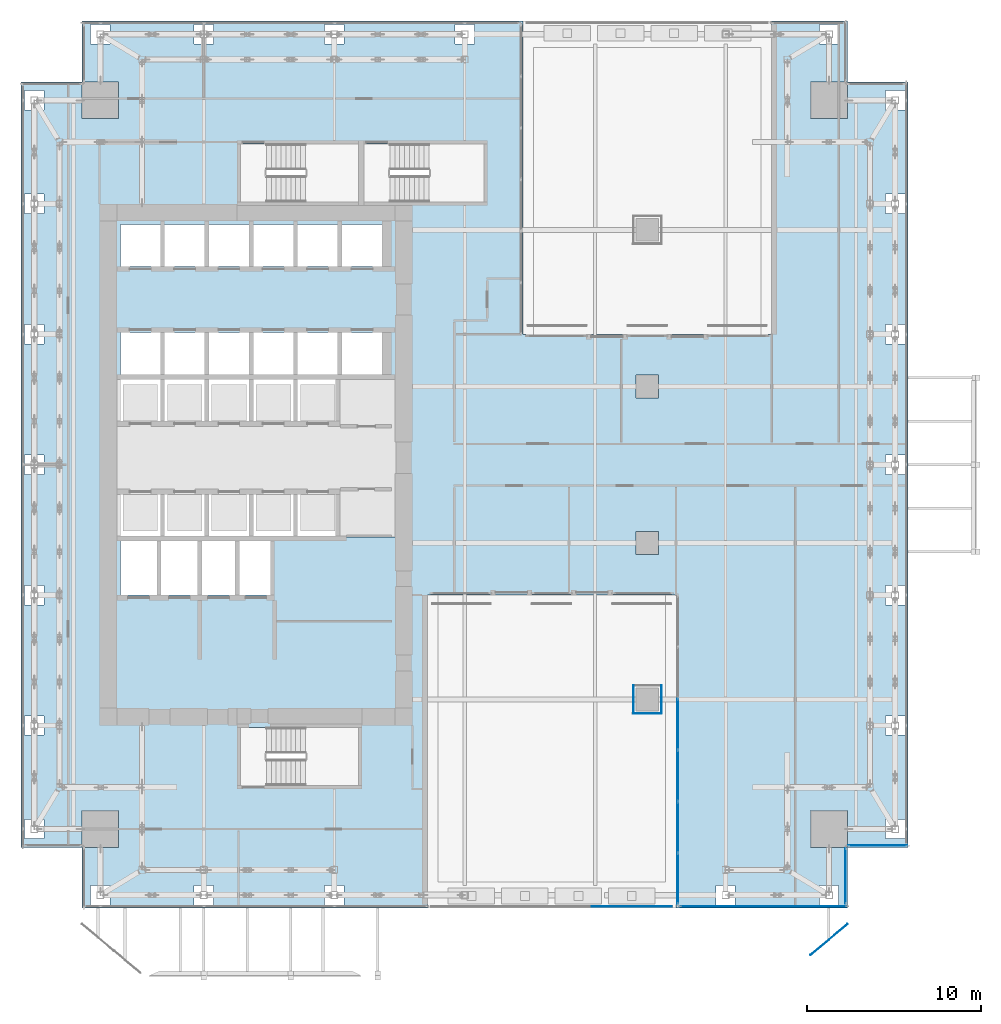
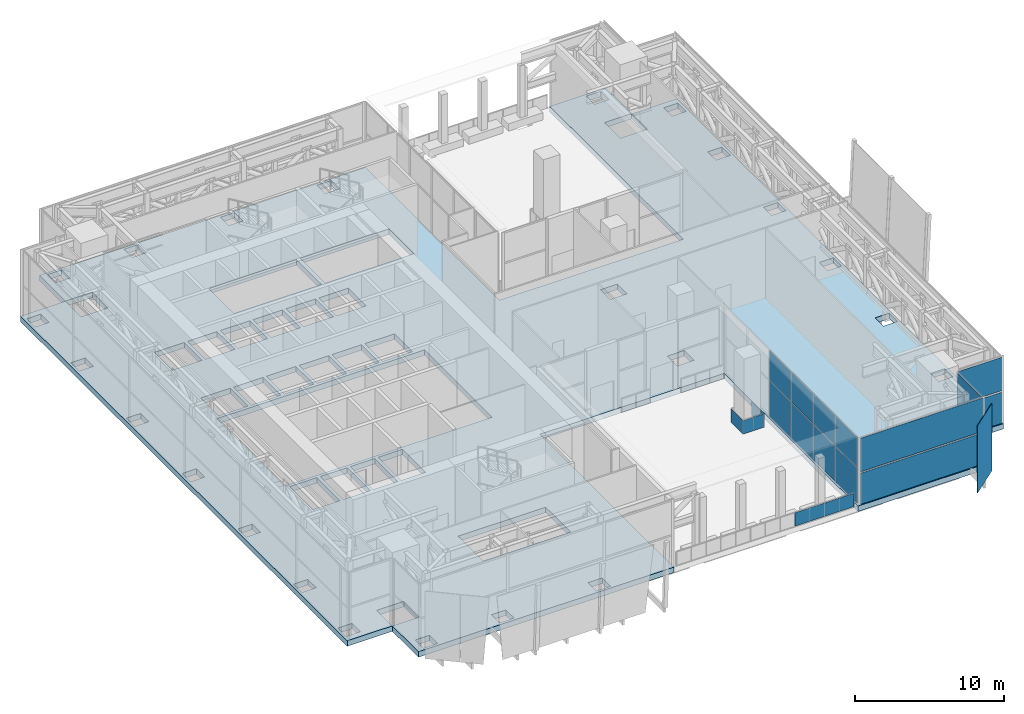
# One storey, part 32 of 47: 19 plates, 1 slab, 4 elements without a shape of their own.
"""IFC4 building model written with IfcOpenShell, lengths in metres."""

from ifc_helpers import new_model, si_unit, direction, frame, origin, origin_2d, place, context, subcontext, project, spatial, polyline, rectangle, outline, extrude, source, transform, mapped, material, layer, layer_set, type_object, element, aggregate, save


model = new_model("IFC4")

# Units and contexts
model_context = context("Model", 3, precision=1e-05, world=origin(), true_north=direction((0.0, 1.0)))
body_context = subcontext(model_context, "Body", "Model", "MODEL_VIEW")
ifc_project = project(units=[si_unit("LENGTHUNIT", "METRE"), si_unit("AREAUNIT", "SQUARE_METRE"), si_unit("VOLUMEUNIT", "CUBIC_METRE"), si_unit("PLANEANGLEUNIT", "RADIAN"), si_unit("MASSUNIT", "GRAM", prefix="KILO")], contexts=[model_context])

# Site, building, storey
site_placement = place(None, origin())
site = spatial("IfcSite", under=ifc_project, at=site_placement, CompositionType="ELEMENT")
building_placement = place(site_placement, origin())
building = spatial("IfcBuilding", under=site, at=building_placement, Name="Khomas Fold Tower", CompositionType="ELEMENT")
storey_placement = place(building_placement, frame((0.0, 0.0, 158.699951171875)))
storey = spatial("IfcBuildingStorey", under=building, at=storey_placement, Name="L34", CompositionType="ELEMENT", Elevation=158.699951171875)

# Plate
ifc_material_1 = material(Name="Clear laminated glass", Category="glass")
ifc_layer_1 = layer(ifc_material_1, 0.0400390625)
ifc_layer_set_1 = layer_set([ifc_layer_1], Name="Clear laminated glass")
plate_type_1 = type_object("IfcPlateType", Name="SK-Clear laminated glass leaf", PredefinedType="SHEET", material=ifc_layer_set_1)
plate_1_placement = place(storey_placement, frame((49.0, 0.60009765625, 5.550048828125), z_axis=(-0.640236364148, 0.768177972883, 0.0), x_axis=(0.0, 0.0, -1.0)))
element("IfcPlate", 1, at=plate_1_placement, inside=storey, type_object=plate_type_1, Name="OUTER SKIN glass L34 SG107-9", PredefinedType="SHEET", context=body_context, shape_type="SweptSolid", body=[
    extrude(outline(polyline([(0.0, 0.0), (5.550048828125, 0.0), (5.550048828125, 2.7726423923708285), (0.0, 2.7726423923708285), (0.0, 0.0)])), origin(), (0.0, 0.0, -1.0), 0.0400390625),
])

# Slab
ifc_material_2 = material(Name="Concrete C40/50", Category="concrete")
ifc_layer_2 = layer(ifc_material_2, 0.449951171875)
ifc_layer_set_2 = layer_set([ifc_layer_2], Name="Concrete C40/50")
slab_type = type_object("IfcSlabType", Name="RC floor slab 450", PredefinedType="FLOOR", material=ifc_layer_set_2)
shared_shape_1 = source(origin(), body_context, "Body", "SweptSolid", [
    extrude(outline(polyline([(1.5, 5.0), (4.9951171875, 5.0), (4.9951171875, 7.10498046875), (7.10498046875, 7.10498046875), (7.10498046875, 4.9951171875), (5.0, 4.9951171875), (5.0, 1.5), (24.85009765625, 1.5), (24.85009765625, 19.5), (39.14990234375, 19.5), (39.14990234375, 1.5), (49.0, 1.5), (49.0, 4.9951171875), (46.89501953125, 4.9951171875), (46.89501953125, 7.10498046875), (49.0048828125, 7.10498046875), (49.0048828125, 5.0), (52.5, 5.0), (52.5, 49.0), (49.0048828125, 49.0), (49.0048828125, 46.89501953125), (46.89501953125, 46.89501953125), (46.89501953125, 49.0048828125), (49.0, 49.0048828125), (49.0, 52.5), (44.64990234375, 52.5), (44.64990234375, 34.5), (30.35009765625, 34.5), (30.35009765625, 52.5), (5.0, 52.5), (5.0, 49.0048828125), (7.10498046875, 49.0048828125), (7.10498046875, 46.89501953125), (4.9951171875, 46.89501953125), (4.9951171875, 49.0), (1.5, 49.0), (1.5, 5.0)]), holes=[polyline([(1.695068359375, 5.4951171875), (1.695068359375, 6.60498046875), (2.804931640625, 6.60498046875), (2.804931640625, 5.4951171875), (1.695068359375, 5.4951171875)]), polyline([(1.695068359375, 11.445068359375), (1.695068359375, 12.554931640625), (2.804931640625, 12.554931640625), (2.804931640625, 11.445068359375), (1.695068359375, 11.445068359375)]), polyline([(1.695068359375, 18.945068359375), (1.695068359375, 20.054931640625), (2.804931640625, 20.054931640625), (2.804931640625, 18.945068359375), (1.695068359375, 18.945068359375)]), polyline([(1.695068359375, 26.445068359375), (1.695068359375, 27.554931640625), (2.804931640625, 27.554931640625), (2.804931640625, 26.445068359375), (1.695068359375, 26.445068359375)]), polyline([(1.695068359375, 33.945068359375), (1.695068359375, 35.054931640625), (2.804931640625, 35.054931640625), (2.804931640625, 33.945068359375), (1.695068359375, 33.945068359375)]), polyline([(1.695068359375, 41.445068359375), (1.695068359375, 42.554931640625), (2.804931640625, 42.554931640625), (2.804931640625, 41.445068359375), (1.695068359375, 41.445068359375)]), polyline([(1.695068359375, 47.39501953125), (1.695068359375, 48.5048828125), (2.804931640625, 48.5048828125), (2.804931640625, 47.39501953125), (1.695068359375, 47.39501953125)]), polyline([(5.4951171875, 1.695068359375), (5.4951171875, 2.804931640625), (6.60498046875, 2.804931640625), (6.60498046875, 1.695068359375), (5.4951171875, 1.695068359375)]), polyline([(5.4951171875, 51.195068359375), (5.4951171875, 52.304931640625), (6.60498046875, 52.304931640625), (6.60498046875, 51.195068359375), (5.4951171875, 51.195068359375)]), polyline([(6.93994140625, 22.840087890625), (6.93994140625, 31.9599609375), (23.06005859375, 31.9599609375), (23.06005859375, 22.840087890625), (6.93994140625, 22.840087890625)]), polyline([(7.199951171875, 19.5), (7.199951171875, 22.60009765625), (9.300048828125, 22.60009765625), (9.300048828125, 19.5), (7.199951171875, 19.5)]), polyline([(7.199951171875, 32.199951171875), (7.199951171875, 34.60009765625), (9.5, 34.60009765625), (9.5, 32.199951171875), (7.199951171875, 32.199951171875)]), polyline([(7.199951171875, 38.39990234375), (7.199951171875, 40.800048828125), (9.5, 40.800048828125), (9.5, 38.39990234375), (7.199951171875, 38.39990234375)]), polyline([(9.550048828125, 19.5), (9.550048828125, 22.60009765625), (11.64990234375, 22.60009765625), (11.64990234375, 19.5), (9.550048828125, 19.5)]), polyline([(9.75, 32.199951171875), (9.75, 34.60009765625), (12.050048828125, 34.60009765625), (12.050048828125, 32.199951171875), (9.75, 32.199951171875)]), polyline([(9.75, 38.39990234375), (9.75, 40.800048828125), (12.050048828125, 40.800048828125), (12.050048828125, 38.39990234375), (9.75, 38.39990234375)]), polyline([(11.445068359375, 1.695068359375), (11.445068359375, 2.804931640625), (12.554931640625, 2.804931640625), (12.554931640625, 1.695068359375), (11.445068359375, 1.695068359375)]), polyline([(11.445068359375, 51.195068359375), (11.445068359375, 52.304931640625), (12.554931640625, 52.304931640625), (12.554931640625, 51.195068359375), (11.445068359375, 51.195068359375)]), polyline([(11.89990234375, 19.5), (11.89990234375, 22.60009765625), (13.800048828125, 22.60009765625), (13.800048828125, 19.5), (11.89990234375, 19.5)]), polyline([(12.300048828125, 32.199951171875), (12.300048828125, 34.60009765625), (14.60009765625, 34.60009765625), (14.60009765625, 32.199951171875), (12.300048828125, 32.199951171875)]), polyline([(12.300048828125, 38.39990234375), (12.300048828125, 40.800048828125), (14.60009765625, 40.800048828125), (14.60009765625, 38.39990234375), (12.300048828125, 38.39990234375)]), polyline([(14.050048828125, 19.5), (14.050048828125, 22.60009765625), (15.949951171875, 22.60009765625), (15.949951171875, 19.5), (14.050048828125, 19.5)]), polyline([(14.10009765625, 8.550048828125), (14.10009765625, 11.89990234375), (20.89990234375, 11.89990234375), (20.89990234375, 8.550048828125), (14.10009765625, 8.550048828125)]), polyline([(14.10009765625, 42.10009765625), (14.10009765625, 45.449951171875), (20.89990234375, 45.449951171875), (20.89990234375, 42.10009765625), (14.10009765625, 42.10009765625)]), polyline([(14.85009765625, 32.199951171875), (14.85009765625, 34.60009765625), (17.14990234375, 34.60009765625), (17.14990234375, 32.199951171875), (14.85009765625, 32.199951171875)]), polyline([(14.85009765625, 38.39990234375), (14.85009765625, 40.800048828125), (17.14990234375, 40.800048828125), (17.14990234375, 38.39990234375), (14.85009765625, 38.39990234375)]), polyline([(17.39990234375, 32.199951171875), (17.39990234375, 34.60009765625), (19.699951171875, 34.60009765625), (19.699951171875, 32.199951171875), (17.39990234375, 32.199951171875)]), polyline([(17.39990234375, 38.39990234375), (17.39990234375, 40.800048828125), (19.699951171875, 40.800048828125), (19.699951171875, 38.39990234375), (17.39990234375, 38.39990234375)]), polyline([(18.945068359375, 1.695068359375), (18.945068359375, 2.804931640625), (20.054931640625, 2.804931640625), (20.054931640625, 1.695068359375), (18.945068359375, 1.695068359375)]), polyline([(18.945068359375, 51.195068359375), (18.945068359375, 52.304931640625), (20.054931640625, 52.304931640625), (20.054931640625, 51.195068359375), (18.945068359375, 51.195068359375)]), polyline([(19.949951171875, 32.199951171875), (19.949951171875, 34.60009765625), (22.25, 34.60009765625), (22.25, 32.199951171875), (19.949951171875, 32.199951171875)]), polyline([(19.949951171875, 38.39990234375), (19.949951171875, 40.800048828125), (22.25, 40.800048828125), (22.25, 38.39990234375), (19.949951171875, 38.39990234375)]), polyline([(21.199951171875, 42.10009765625), (21.199951171875, 45.449951171875), (28.10009765625, 45.449951171875), (28.10009765625, 42.10009765625), (21.199951171875, 42.10009765625)]), polyline([(26.445068359375, 51.195068359375), (26.445068359375, 52.304931640625), (27.554931640625, 52.304931640625), (27.554931640625, 51.195068359375), (26.445068359375, 51.195068359375)]), polyline([(36.844970703125, 21.844970703125), (36.844970703125, 23.155029296875), (38.155029296875, 23.155029296875), (38.155029296875, 21.844970703125), (36.844970703125, 21.844970703125)]), polyline([(36.844970703125, 30.844970703125), (36.844970703125, 32.155029296875), (38.155029296875, 32.155029296875), (38.155029296875, 30.844970703125), (36.844970703125, 30.844970703125)]), polyline([(41.445068359375, 1.695068359375), (41.445068359375, 2.804931640625), (42.554931640625, 2.804931640625), (42.554931640625, 1.695068359375), (41.445068359375, 1.695068359375)]), polyline([(47.39501953125, 1.695068359375), (47.39501953125, 2.804931640625), (48.5048828125, 2.804931640625), (48.5048828125, 1.695068359375), (47.39501953125, 1.695068359375)]), polyline([(47.39501953125, 51.195068359375), (47.39501953125, 52.304931640625), (48.5048828125, 52.304931640625), (48.5048828125, 51.195068359375), (47.39501953125, 51.195068359375)]), polyline([(51.195068359375, 5.4951171875), (51.195068359375, 6.60498046875), (52.304931640625, 6.60498046875), (52.304931640625, 5.4951171875), (51.195068359375, 5.4951171875)]), polyline([(51.195068359375, 11.445068359375), (51.195068359375, 12.554931640625), (52.304931640625, 12.554931640625), (52.304931640625, 11.445068359375), (51.195068359375, 11.445068359375)]), polyline([(51.195068359375, 18.945068359375), (51.195068359375, 20.054931640625), (52.304931640625, 20.054931640625), (52.304931640625, 18.945068359375), (51.195068359375, 18.945068359375)]), polyline([(51.195068359375, 26.445068359375), (51.195068359375, 27.554931640625), (52.304931640625, 27.554931640625), (52.304931640625, 26.445068359375), (51.195068359375, 26.445068359375)]), polyline([(51.195068359375, 33.945068359375), (51.195068359375, 35.054931640625), (52.304931640625, 35.054931640625), (52.304931640625, 33.945068359375), (51.195068359375, 33.945068359375)]), polyline([(51.195068359375, 41.445068359375), (51.195068359375, 42.554931640625), (52.304931640625, 42.554931640625), (52.304931640625, 41.445068359375), (51.195068359375, 41.445068359375)]), polyline([(51.195068359375, 47.39501953125), (51.195068359375, 48.5048828125), (52.304931640625, 48.5048828125), (52.304931640625, 47.39501953125), (51.195068359375, 47.39501953125)])]), origin(), (0.0, 0.0, 1.0), 0.449951171875),
])
slab_placement = place(storey_placement, frame((0.0, 0.0, -0.449951171875)))
element("IfcSlab", 2, at=slab_placement, inside=storey, type_object=slab_type, Name="S-L34", PredefinedType="FLOOR", context=body_context, shape_type="MappedRepresentation", body=[
    mapped(shared_shape_1, transform((0.0, 0.0, 0.0))),
])

# Curtain wall, plates
ifc_material_3 = material(Name="Aluminium framed double glazing", Category="aluminium")
curtain_wall_type_1 = type_object("IfcCurtainWallType", Name="SK-Unitised clear-glass wall, growing floors CW1", PredefinedType="NOTDEFINED", material=ifc_material_3)
curtain_wall_1_placement = place(storey_placement, origin())
curtain_wall_1 = element("IfcCurtainWall", 3, at=curtain_wall_1_placement, inside=storey, type_object=curtain_wall_type_1, Name="CW1 corner return L34 07", PredefinedType="NOTDEFINED")
ifc_material_4 = material(Name="Insulated metal spandrel panel")
ifc_layer_3 = layer(ifc_material_4, 0.031982421875)
ifc_layer_set_3 = layer_set([ifc_layer_3], Name="Insulated metal spandrel panel")
plate_type_2 = type_object("IfcPlateType", Name="SK-Unitised clear-glass wall, growing floors spandrel panel CW1-S", PredefinedType="CURTAIN_PANEL", material=ifc_layer_set_3)
shared_shape_2 = source(origin(), body_context, "Body", "SweptSolid", [
    extrude(rectangle(XDim=3.3798828125, YDim=0.031982421875, at=origin_2d()), origin(), (0.0, 0.0, 1.0), 2.752685546875),
])
plate_2_placement = place(storey_placement, frame((50.75, 5.10009765625, 2.67724609375), z_axis=(0.0, 0.0, 1.0), x_axis=(1.0, 0.0, 0.0)))
plate_2 = element("IfcPlate", 4, at=plate_2_placement, type_object=plate_type_2, Name="CW1 spandrel panel 1", PredefinedType="CURTAIN_PANEL", context=body_context, shape_type="MappedRepresentation", body=[
    mapped(shared_shape_2, transform((0.0, 0.0, 0.0))),
])
ifc_material_5 = material(Name="Clear double glazed unit")
ifc_layer_4 = layer(ifc_material_5, 0.031982421875)
ifc_layer_set_4 = layer_set([ifc_layer_4], Name="Clear double glazed unit")
plate_type_3 = type_object("IfcPlateType", Name="SK-Unitised clear-glass wall, growing floors glass panel CW1-P", PredefinedType="CURTAIN_PANEL", material=ifc_layer_set_4)
shared_shape_3 = source(origin(), body_context, "Body", "SweptSolid", [
    extrude(rectangle(XDim=3.3798828125, YDim=0.031982421875, at=origin_2d()), origin(), (0.0, 0.0, 1.0), 2.55712890625),
])
plate_3_placement = place(storey_placement, frame((50.75, 5.10009765625, 0.0), z_axis=(0.0, 0.0, 1.0), x_axis=(1.0, 0.0, 0.0)))
plate_3 = element("IfcPlate", 5, at=plate_3_placement, type_object=plate_type_3, Name="CW1 glass panel 1", PredefinedType="CURTAIN_PANEL", context=body_context, shape_type="MappedRepresentation", body=[
    mapped(shared_shape_3, transform((0.0, 0.0, 0.0))),
])
aggregate(curtain_wall_1, [plate_2, plate_3])

curtain_wall_2_placement = place(storey_placement, origin())
curtain_wall_2 = element("IfcCurtainWall", 6, at=curtain_wall_2_placement, inside=storey, type_object=curtain_wall_type_1, Name="CW1 run L34 05-0", PredefinedType="NOTDEFINED")
shared_shape_4 = source(origin(), body_context, "Body", "SweptSolid", [
    extrude(rectangle(XDim=9.530029296875, YDim=0.031982421875, at=origin_2d()), origin(), (0.0, 0.0, 1.0), 2.752685546875),
])
plate_4_placement = place(storey_placement, frame((44.175048828125, 1.60009765625, 2.67724609375), z_axis=(0.0, 0.0, 1.0), x_axis=(1.0, 0.0, 0.0)))
plate_4 = element("IfcPlate", 7, at=plate_4_placement, type_object=plate_type_2, Name="CW1 spandrel panel 1", PredefinedType="CURTAIN_PANEL", context=body_context, shape_type="MappedRepresentation", body=[
    mapped(shared_shape_4, transform((0.0, 0.0, 0.0))),
])
shared_shape_5 = source(origin(), body_context, "Body", "SweptSolid", [
    extrude(rectangle(XDim=9.530029296875, YDim=0.031982421875, at=origin_2d()), origin(), (0.0, 0.0, 1.0), 2.55712890625),
])
plate_5_placement = place(storey_placement, frame((44.175048828125, 1.60009765625, 0.0), z_axis=(0.0, 0.0, 1.0), x_axis=(1.0, 0.0, 0.0)))
plate_5 = element("IfcPlate", 8, at=plate_5_placement, type_object=plate_type_3, Name="CW1 glass panel 1", PredefinedType="CURTAIN_PANEL", context=body_context, shape_type="MappedRepresentation", body=[
    mapped(shared_shape_5, transform((0.0, 0.0, 0.0))),
])
aggregate(curtain_wall_2, [plate_4, plate_5])

curtain_wall_3_placement = place(storey_placement, origin())
curtain_wall_3 = element("IfcCurtainWall", 9, at=curtain_wall_3_placement, inside=storey, type_object=curtain_wall_type_1, Name="CW1 corner return L34 06", PredefinedType="NOTDEFINED")
shared_shape_6 = source(origin(), body_context, "Body", "SweptSolid", [
    extrude(rectangle(XDim=3.179931640625, YDim=0.031982421875, at=origin_2d()), origin(), (0.0, 0.0, 1.0), 2.752685546875),
])
plate_6_placement = place(storey_placement, frame((48.89990234375, 3.35009765625, 2.67724609375), z_axis=(0.0, 0.0, 1.0), x_axis=(0.0, 1.0, 0.0)))
plate_6 = element("IfcPlate", 10, at=plate_6_placement, type_object=plate_type_2, Name="CW1 spandrel panel 1", PredefinedType="CURTAIN_PANEL", context=body_context, shape_type="MappedRepresentation", body=[
    mapped(shared_shape_6, transform((0.0, 0.0, 0.0))),
])
shared_shape_7 = source(origin(), body_context, "Body", "SweptSolid", [
    extrude(rectangle(XDim=3.179931640625, YDim=0.031982421875, at=origin_2d()), origin(), (0.0, 0.0, 1.0), 2.55712890625),
])
plate_7_placement = place(storey_placement, frame((48.89990234375, 3.35009765625, 0.0), z_axis=(0.0, 0.0, 1.0), x_axis=(0.0, 1.0, 0.0)))
plate_7 = element("IfcPlate", 11, at=plate_7_placement, type_object=plate_type_3, Name="CW1 glass panel 1", PredefinedType="CURTAIN_PANEL", context=body_context, shape_type="MappedRepresentation", body=[
    mapped(shared_shape_7, transform((0.0, 0.0, 0.0))),
])
aggregate(curtain_wall_3, [plate_6, plate_7])

ifc_material_6 = material(Name="Aluminium framed double glazing", Category="aluminium")
curtain_wall_type_2 = type_object("IfcCurtainWallType", Name="Notch glazing GN-CW", PredefinedType="NOTDEFINED", material=ifc_material_6)
curtain_wall_4_placement = place(storey_placement, origin())
curtain_wall_4 = element("IfcCurtainWall", 12, at=curtain_wall_4_placement, inside=storey, type_object=curtain_wall_type_2, Name="Notch glazing run", PredefinedType="NOTDEFINED")
ifc_material_7 = material(Name="Double glazed unit")
ifc_layer_5 = layer(ifc_material_7, 0.031982421875)
ifc_layer_set_5 = layer_set([ifc_layer_5], Name="Double glazed unit")
plate_type_4 = type_object("IfcPlateType", Name="Notch glazing panel GN-CW-P", PredefinedType="CURTAIN_PANEL", material=ifc_layer_set_5)
shared_shape_8 = source(origin(), body_context, "Body", "SweptSolid", [
    extrude(rectangle(XDim=2.876708984375, YDim=0.031982421875, at=origin_2d()), origin(), (0.0, 0.0, 1.0), 2.909912109375),
])
plate_8_placement = place(storey_placement, frame((39.25, 3.1982421875, 0.06005859375), z_axis=(0.0, 0.0, 1.0), x_axis=(0.0, -1.0, 0.0)))
plate_8 = element("IfcPlate", 13, at=plate_8_placement, type_object=plate_type_4, Name="GN-CW panel 6.1", PredefinedType="CURTAIN_PANEL", context=body_context, shape_type="MappedRepresentation", body=[
    mapped(shared_shape_8, transform((0.0, 0.0, 0.0))),
])
shared_shape_9 = source(origin(), body_context, "Body", "SweptSolid", [
    extrude(rectangle(XDim=2.876708984375, YDim=0.031982421875, at=origin_2d()), origin(), (0.0, 0.0, 1.0), 2.4599609375),
])
plate_9_placement = place(storey_placement, frame((39.25, 3.1982421875, 3.030029296875), z_axis=(0.0, 0.0, 1.0), x_axis=(0.0, -1.0, 0.0)))
plate_9 = element("IfcPlate", 14, at=plate_9_placement, type_object=plate_type_4, Name="GN-CW panel 6.2", PredefinedType="CURTAIN_PANEL", context=body_context, shape_type="MappedRepresentation", body=[
    mapped(shared_shape_9, transform((0.0, 0.0, 0.0))),
])
shared_shape_10 = source(origin(), body_context, "Body", "SweptSolid", [
    extrude(rectangle(XDim=2.90673828125, YDim=0.031982421875, at=origin_2d()), origin(), (0.0, 0.0, 1.0), 2.909912109375),
])
plate_10_placement = place(storey_placement, frame((39.25, 12.083251953125, 0.06005859375), z_axis=(0.0, 0.0, 1.0), x_axis=(0.0, -1.0, 0.0)))
plate_10 = element("IfcPlate", 15, at=plate_10_placement, type_object=plate_type_4, Name="GN-CW panel 3.1", PredefinedType="CURTAIN_PANEL", context=body_context, shape_type="MappedRepresentation", body=[
    mapped(shared_shape_10, transform((0.0, 0.0, 0.0))),
])
plate_11_placement = place(storey_placement, frame((39.25, 9.11669921875, 0.06005859375), z_axis=(0.0, 0.0, 1.0), x_axis=(0.0, -1.0, 0.0)))
plate_11 = element("IfcPlate", 16, at=plate_11_placement, type_object=plate_type_4, Name="GN-CW panel 4.1", PredefinedType="CURTAIN_PANEL", context=body_context, shape_type="MappedRepresentation", body=[
    mapped(shared_shape_10, transform((0.0, 0.0, 0.0))),
])
plate_12_placement = place(storey_placement, frame((39.25, 6.14990234375, 0.06005859375), z_axis=(0.0, 0.0, 1.0), x_axis=(0.0, -1.0, 0.0)))
plate_12 = element("IfcPlate", 17, at=plate_12_placement, type_object=plate_type_4, Name="GN-CW panel 5.1", PredefinedType="CURTAIN_PANEL", context=body_context, shape_type="MappedRepresentation", body=[
    mapped(shared_shape_10, transform((0.0, 0.0, 0.0))),
])
shared_shape_11 = source(origin(), body_context, "Body", "SweptSolid", [
    extrude(rectangle(XDim=2.90673828125, YDim=0.031982421875, at=origin_2d()), origin(), (0.0, 0.0, 1.0), 2.4599609375),
])
plate_13_placement = place(storey_placement, frame((39.25, 12.083251953125, 3.030029296875), z_axis=(0.0, 0.0, 1.0), x_axis=(0.0, -1.0, 0.0)))
plate_13 = element("IfcPlate", 18, at=plate_13_placement, type_object=plate_type_4, Name="GN-CW panel 3.2", PredefinedType="CURTAIN_PANEL", context=body_context, shape_type="MappedRepresentation", body=[
    mapped(shared_shape_11, transform((0.0, 0.0, 0.0))),
])
plate_14_placement = place(storey_placement, frame((39.25, 9.11669921875, 3.030029296875), z_axis=(0.0, 0.0, 1.0), x_axis=(0.0, -1.0, 0.0)))
plate_14 = element("IfcPlate", 19, at=plate_14_placement, type_object=plate_type_4, Name="GN-CW panel 4.2", PredefinedType="CURTAIN_PANEL", context=body_context, shape_type="MappedRepresentation", body=[
    mapped(shared_shape_11, transform((0.0, 0.0, 0.0))),
])
plate_15_placement = place(storey_placement, frame((39.25, 6.14990234375, 3.030029296875), z_axis=(0.0, 0.0, 1.0), x_axis=(0.0, -1.0, 0.0)))
plate_15 = element("IfcPlate", 20, at=plate_15_placement, type_object=plate_type_4, Name="GN-CW panel 5.2", PredefinedType="CURTAIN_PANEL", context=body_context, shape_type="MappedRepresentation", body=[
    mapped(shared_shape_11, transform((0.0, 0.0, 0.0))),
])
aggregate(curtain_wall_4, [plate_10, plate_13, plate_11, plate_14, plate_12, plate_15, plate_8, plate_9])

# Plates
ifc_material_8 = material(Name="Laminated toughened glass", Category="glass")
ifc_layer_6 = layer(ifc_material_8, 0.030029296875)
ifc_layer_set_6 = layer_set([ifc_layer_6], Name="Laminated toughened glass")
plate_type_5 = type_object("IfcPlateType", Name="Guard glass infill GD-GI", PredefinedType="SHEET", material=ifc_layer_set_6)
shared_shape_12 = source(origin(), body_context, "Body", "SweptSolid", [
    extrude(rectangle(XDim=4.60009765625, YDim=0.030029296875, at=origin_2d()), origin(), (0.0, 0.0, 1.0), 1.10009765625),
])
plate_16_placement = place(storey_placement, frame((36.60009765625, 1.60009765625, 0.0), z_axis=(0.0, 0.0, 1.0), x_axis=(-1.0, 0.0, 0.0)))
element("IfcPlate", 21, at=plate_16_placement, inside=storey, type_object=plate_type_5, Name="Guard glass infill", PredefinedType="SHEET", context=body_context, shape_type="MappedRepresentation", body=[
    mapped(shared_shape_12, transform((0.0, 0.0, 0.0))),
])
shared_shape_13 = source(origin(), body_context, "Body", "SweptSolid", [
    extrude(rectangle(XDim=1.610107421875, YDim=0.030029296875, at=origin_2d()), origin(), (0.0, 0.0, 1.0), 1.10009765625),
])
for number, where, z_axis, x_axis, name in (
    (22, (36.695068359375, 13.5, 0.0), (0.0, 0.0, 1.0), (0.0, 1.0, 0.0), "Guard glass infill"),
    (23, (38.304931640625, 13.5, 0.0), (0.0, 0.0, 1.0), (0.0, -1.0, 0.0), "Guard glass infill"),
    (24, (37.5, 12.695068359375, 0.0), (0.0, 0.0, 1.0), (-1.0, 0.0, 0.0), "Guard glass infill"),
):
    element("IfcPlate", number, at=place(storey_placement, frame(where, z_axis=z_axis, x_axis=x_axis)), inside=storey, type_object=plate_type_5, Name=name, PredefinedType="SHEET", context=body_context, shape_type="MappedRepresentation", body=[
        mapped(shared_shape_13, transform((0.0, 0.0, 0.0))),
    ])

save(model, "model.ifc")
